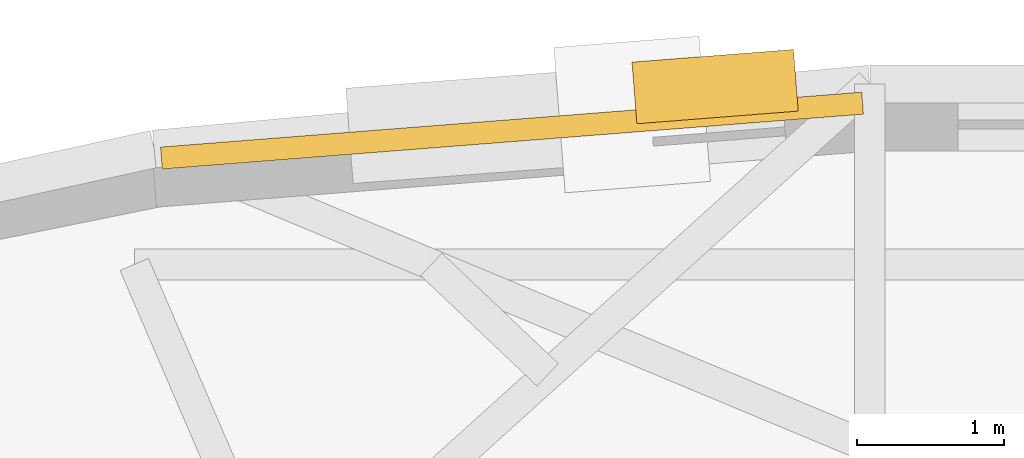
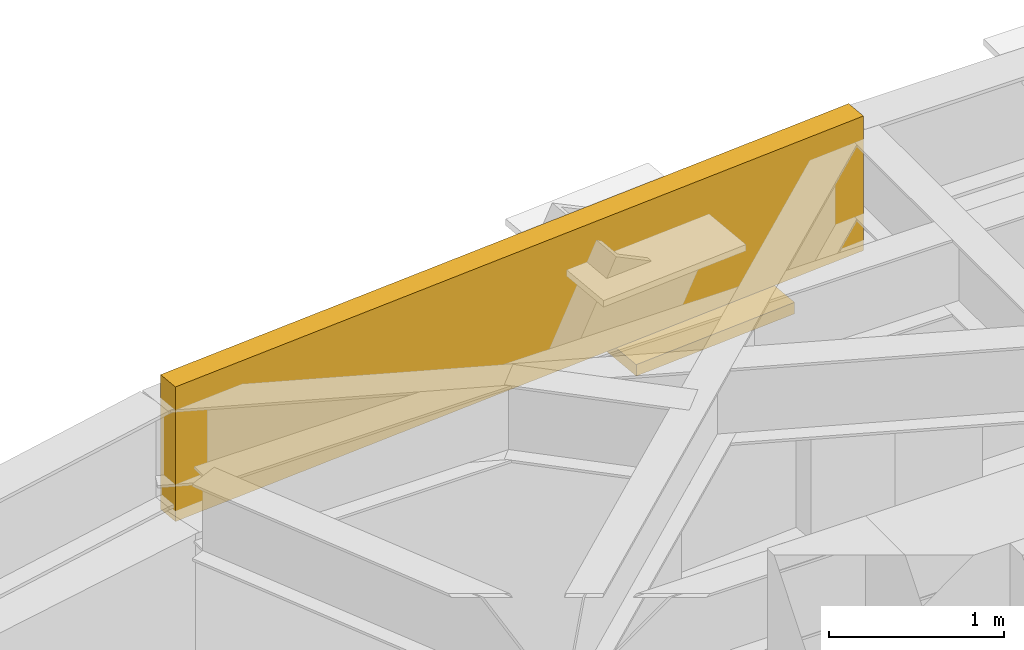
# One storey, part 15 of 15: 1 covering, 1 shading device.
"""IFC4 building model written with IfcOpenShell, lengths in metres."""

from ifc_helpers import new_model, si_unit, direction, frame, origin, origin_2d, place, context, subcontext, project, spatial, rectangle, extrude, material, layer, layer_set, type_object, element, save


model = new_model("IFC4")

# Units and contexts
model_context = context("Model", 3, precision=1e-05, world=origin(), true_north=direction((0.0, 1.0)))
body_context = subcontext(model_context, "Body", "Model", "MODEL_VIEW")
ifc_project = project(units=[si_unit("LENGTHUNIT", "METRE"), si_unit("AREAUNIT", "SQUARE_METRE"), si_unit("VOLUMEUNIT", "CUBIC_METRE"), si_unit("PLANEANGLEUNIT", "RADIAN"), si_unit("MASSUNIT", "GRAM", prefix="KILO")], contexts=[model_context])

# Site, building, storey
site_placement = place(None, origin())
site = spatial("IfcSite", under=ifc_project, at=site_placement, CompositionType="ELEMENT")
building_placement = place(site_placement, origin())
building = spatial("IfcBuilding", under=site, at=building_placement, Name="Keldmark Tower", CompositionType="ELEMENT")
storey_placement = place(building_placement, frame((0.0, 0.0, 150.199951171875)))
storey = spatial("IfcBuildingStorey", under=building, at=storey_placement, Name="L40", CompositionType="ELEMENT", Elevation=150.199951171875)

# Shading device
ifc_material_1 = material(Name="Kasota Buff Limestone Bullnose and Bronze Anodized Aluminum", Category="masonry")
ifc_layer_1 = layer(ifc_material_1, 0.080078125)
ifc_layer_set_1 = layer_set([ifc_layer_1], Name="Kasota Buff Limestone Bullnose and Bronze Anodized Aluminum")
shading_device_type = type_object("IfcShadingDeviceType", Name="Deep-Set Punched Window Stone-and-Metal Sunshade", PredefinedType="AWNING", material=ifc_layer_set_1)
shading_device_placement = place(storey_placement, frame((-3.4833984375, 16.724365234375, 1.93994140625), z_axis=(0.0, 0.0, 1.0), x_axis=(0.996946023532, 0.078093701179, 0.0)))
element("IfcShadingDevice", 1, at=shading_device_placement, inside=storey, type_object=shading_device_type, Name="L40 Kasota Stone Window Sunshade 09", PredefinedType="AWNING", context=body_context, shape_type="SweptSolid", body=[
    extrude(rectangle(XDim=1.10009765625, YDim=0.419921875, at=origin_2d()), origin(), (0.0, 0.0, 1.0), 0.080078125),
])

# Covering
ifc_material_2 = material(Name="Honed Kasota Buff Dolomitic Limestone", Category="masonry")
ifc_layer_2 = layer(ifc_material_2, 0.074951171875)
ifc_layer_set_2 = layer_set([ifc_layer_2], Name="Honed Kasota Buff Dolomitic Limestone")
covering_type = type_object("IfcCoveringType", Name="Kasota Buff Limestone Spandrel Cladding Band", PredefinedType="CLADDING", material=ifc_layer_set_2)
covering_placement = place(storey_placement, frame((-4.86376953125, 16.425537109375, 2.239013671875), z_axis=(0.0, 0.0, 1.0), x_axis=(-0.996946023532, -0.078093701179, 0.0)))
element("IfcCovering", 2, at=covering_placement, inside=storey, type_object=covering_type, Name="L40 Kasota Limestone Spandrel Band 09", PredefinedType="CLADDING", context=body_context, shape_type="SweptSolid", body=[
    extrude(rectangle(XDim=4.77880859375, YDim=0.14990234375, at=origin_2d()), origin(), (0.0, 0.0, 1.0), 0.94091796875),
])

save(model, "model.ifc")
